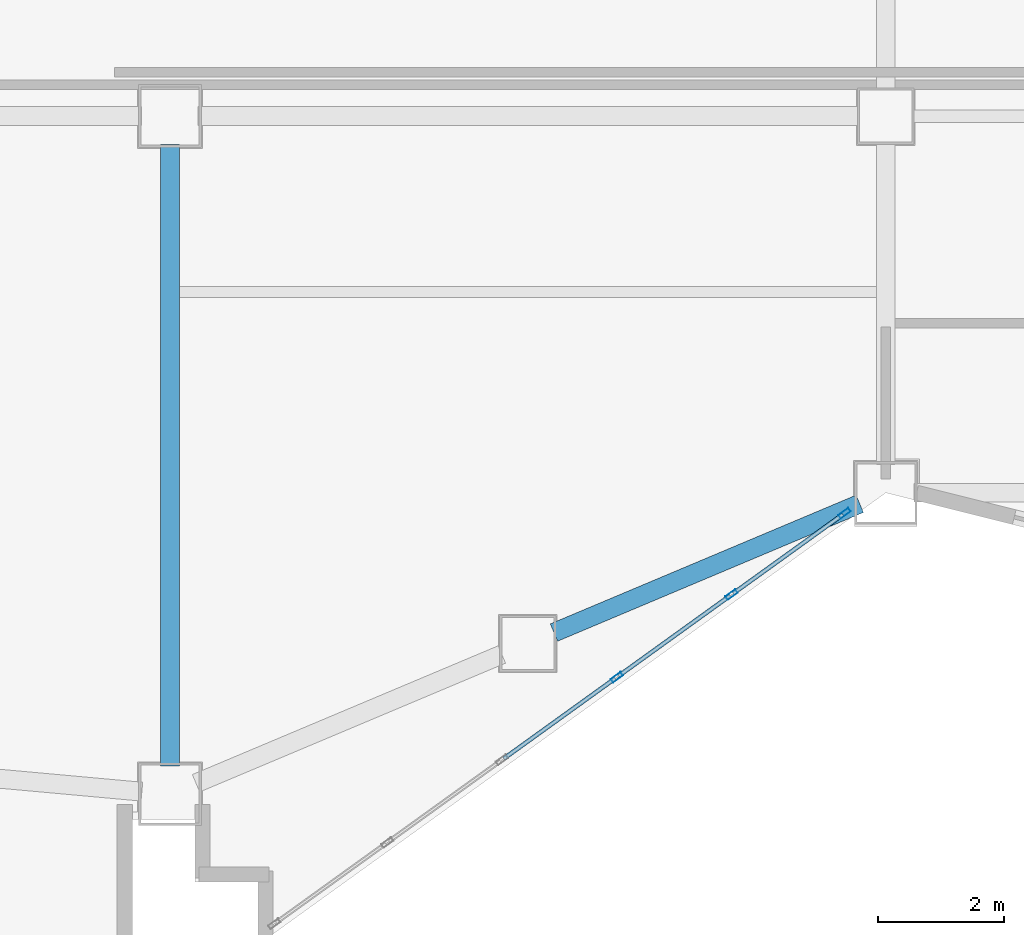
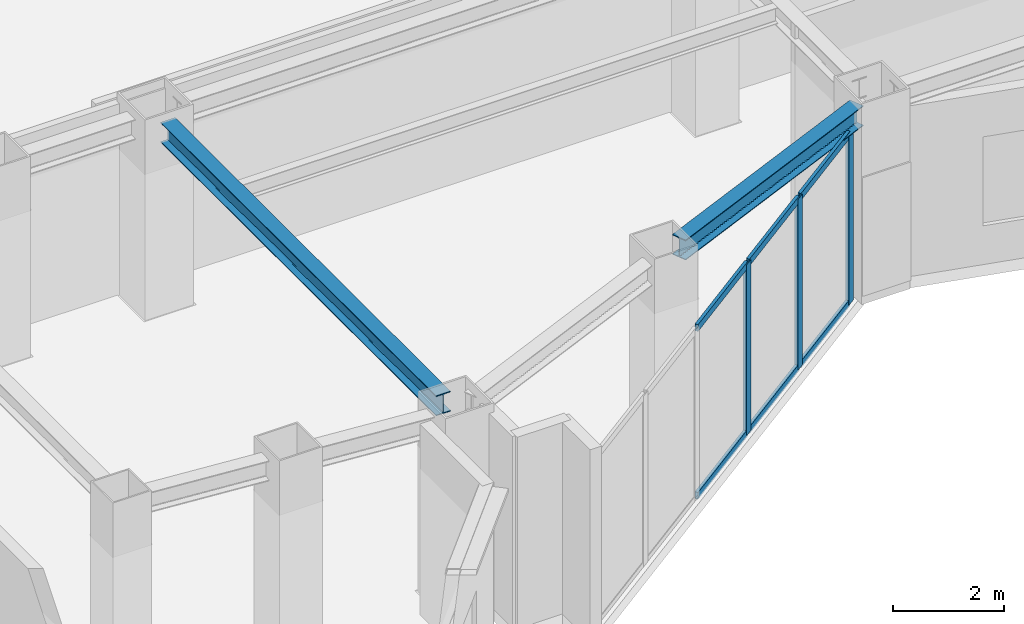
# One storey, part 3 of 19: 9 members, 2 beams, 1 element without a shape of its own.
"""IFC4 building model written with IfcOpenShell, lengths in metres."""

from ifc_helpers import new_model, si_unit, direction, frame, origin, origin_2d, place, context, subcontext, project, spatial, hollow_rectangle, i_section, extrude, material, layer, layer_set, material_profile, profile_set, type_object, element, aggregate, save


model = new_model("IFC4")

# Units and contexts
model_context = context("Model", 3, precision=1e-05, world=origin(), true_north=direction((0.0, 1.0)))
body_context = subcontext(model_context, "Body", "Model", "MODEL_VIEW")
ifc_project = project(units=[si_unit("LENGTHUNIT", "METRE"), si_unit("AREAUNIT", "SQUARE_METRE"), si_unit("VOLUMEUNIT", "CUBIC_METRE"), si_unit("PLANEANGLEUNIT", "RADIAN"), si_unit("MASSUNIT", "GRAM", prefix="KILO")], contexts=[model_context])

# Site, building, storey
site_placement = place(None, origin())
site = spatial("IfcSite", under=ifc_project, at=site_placement, CompositionType="ELEMENT")
building_placement = place(site_placement, origin())
building = spatial("IfcBuilding", under=site, at=building_placement, Name="Haolan Belvedere Tower", CompositionType="ELEMENT")
storey_placement = place(building_placement, frame((0.0, 0.0, 94.0)))
storey = spatial("IfcBuildingStorey", under=building, at=storey_placement, Name="L23", CompositionType="ELEMENT", Elevation=94.0)

# Beams
ifc_material_1 = material(Name="Steel Q355B", Category="steel")
ifc_material_profile_1 = material_profile(ifc_material_1, i_section(OverallWidth=0.300048828125, OverallDepth=0.43994140625, WebThickness=0.010986328125, FlangeThickness=0.01806640625, FilletRadius=0.02392578125, at=origin_2d()), Name="Steel Q355B")
ifc_profile_set_1 = profile_set([ifc_material_profile_1], Name="Steel Q355B")
beam_type = type_object("IfcBeamType", Name="BM-HM440x300x11x18", PredefinedType="SPANDREL", material=ifc_profile_set_1)
beam_1_placement = place(storey_placement, frame((12.60009765625, 17.25, 3.97998046875), z_axis=(0.0, 1.0, 0.0), x_axis=(-1.0, 0.0, 0.0)))
element("IfcBeam", 1, at=beam_1_placement, inside=storey, type_object=beam_type, Name="L23 spandrel girder MC-T2-SW-MC-T2-MW", PredefinedType="SPANDREL", context=body_context, shape_type="SweptSolid", body=[
    extrude(i_section(OverallWidth=0.300048828125, OverallDepth=0.43994140625, WebThickness=0.010986328125, FlangeThickness=0.01806640625, FilletRadius=0.02392578125, at=origin_2d()), origin(), (0.0, 0.0, 1.0), 9.89990234375),
])
beam_2_placement = place(storey_placement, frame((18.71484375, 19.37451171875, 3.97998046875), z_axis=(0.92162841793, 0.388073523014, 0.0), x_axis=(-0.388073523014, 0.92162841793, 0.0)))
element("IfcBeam", 2, at=beam_2_placement, inside=storey, type_object=beam_type, Name="L23 spandrel girder TC-T2-S1-MC-T3-SW", PredefinedType="SPANDREL", context=body_context, shape_type="SweptSolid", body=[
    extrude(i_section(OverallWidth=0.300048828125, OverallDepth=0.43994140625, WebThickness=0.010986328125, FlangeThickness=0.01806640625, FilletRadius=0.02392578125, at=origin_2d()), origin(), (0.0, 0.0, 1.0), 5.284423828125),
])

# Curtain wall, members
ifc_material_2 = material(Name="Anodised champagne-silver aluminium 6063-T6 and Low-E glass", Category="aluminium")
ifc_layer = layer(ifc_material_2, 0.195068359375, Name="Anodised champagne-silver aluminium 6063-T6 and Low-E glass")
ifc_layer_set = layer_set([ifc_layer], Name="Anodised champagne-silver aluminium 6063-T6 and Low-E glass")
curtain_wall_type = type_object("IfcCurtainWallType", Name="CW-SYS-06", PredefinedType="NOTDEFINED", material=ifc_layer_set)
curtain_wall_placement = place(storey_placement, origin())
curtain_wall = element("IfcCurtainWall", 3, at=curtain_wall_placement, inside=storey, type_object=curtain_wall_type, Name="L23 CW-SYS-06 ribbon curtain wall 5.1", PredefinedType="NOTDEFINED")
ifc_material_3 = material(Name="Anodised aluminium 6063-T6", Category="aluminium")
ifc_material_profile_2 = material_profile(ifc_material_3, hollow_rectangle(XDim=0.070068359375, YDim=0.195068359375, WallThickness=0.00390625, at=origin_2d()), Name="Anodised aluminium 6063-T6")
ifc_profile_set_2 = profile_set([ifc_material_profile_2], Name="Anodised aluminium 6063-T6")
member_type_1 = type_object("IfcMemberType", Name="CW-SYS-06-MUL", PredefinedType="MULLION", material=ifc_profile_set_2)
member_1_placement = place(storey_placement, frame((19.716552734375, 18.66357421875, 0.0), z_axis=(0.0, 0.0, 1.0), x_axis=(-0.584297005385, 0.811539900127, 0.0)))
member_1 = element("IfcMember", 4, at=member_1_placement, type_object=member_type_1, Name="CW-06 mullion 4", PredefinedType="MULLION", context=body_context, shape_type="SweptSolid", body=[
    extrude(hollow_rectangle(XDim=0.070068359375, YDim=0.195068359375, WallThickness=0.00390625, at=origin_2d()), origin(), (0.0, 0.0, 1.0), 3.7451171875),
])
member_2_placement = place(storey_placement, frame((21.544189453125, 19.9794921875, 0.0), z_axis=(0.0, 0.0, 1.0), x_axis=(-0.584297005385, 0.811539900127, 0.0)))
member_2 = element("IfcMember", 5, at=member_2_placement, type_object=member_type_1, Name="CW-06 mullion 5", PredefinedType="MULLION", context=body_context, shape_type="SweptSolid", body=[
    extrude(hollow_rectangle(XDim=0.070068359375, YDim=0.195068359375, WallThickness=0.00390625, at=origin_2d()), origin(), (0.0, 0.0, 1.0), 3.7451171875),
])
member_3_placement = place(storey_placement, frame((23.34326171875, 21.27490234375, 0.0), z_axis=(0.0, 0.0, 1.0), x_axis=(-0.584297005385, 0.811539900127, 0.0)))
member_3 = element("IfcMember", 6, at=member_3_placement, type_object=member_type_1, Name="CW-06 mullion 6", PredefinedType="MULLION", context=body_context, shape_type="SweptSolid", body=[
    extrude(hollow_rectangle(XDim=0.070068359375, YDim=0.195068359375, WallThickness=0.00390625, at=origin_2d()), origin(), (0.0, 0.0, 1.0), 3.7451171875),
])
ifc_material_profile_3 = material_profile(ifc_material_3, hollow_rectangle(XDim=0.06494140625, YDim=0.14990234375, WallThickness=0.00390625, at=origin_2d()), Name="Anodised aluminium 6063-T6")
ifc_profile_set_3 = profile_set([ifc_material_profile_3], Name="Anodised aluminium 6063-T6")
member_type_2 = type_object("IfcMemberType", Name="CW-SYS-06-TRN", PredefinedType="USERDEFINED", material=ifc_profile_set_3)
member_4_placement = place(storey_placement, frame((17.917236328125, 17.3681640625, 0.032470703125), z_axis=(0.811489774394, 0.584366619559, 0.0), x_axis=(-0.584366619559, 0.811489774394, 0.0)))
member_4 = element("IfcMember", 7, at=member_4_placement, type_object=member_type_2, Name="CW-06 transom 3.1", ObjectType="TRANSOM", PredefinedType="USERDEFINED", context=body_context, shape_type="SweptSolid", body=[
    extrude(hollow_rectangle(XDim=0.06494140625, YDim=0.14990234375, WallThickness=0.00390625, at=origin_2d()), origin(), (0.0, 0.0, 1.0), 2.18212890625),
])
member_5_placement = place(storey_placement, frame((17.917236328125, 17.3681640625, 3.71240234375), z_axis=(0.811489774394, 0.584366619559, 0.0), x_axis=(-0.584366619559, 0.811489774394, 0.0)))
member_5 = element("IfcMember", 8, at=member_5_placement, type_object=member_type_2, Name="CW-06 transom 3.2", ObjectType="TRANSOM", PredefinedType="USERDEFINED", context=body_context, shape_type="SweptSolid", body=[
    extrude(hollow_rectangle(XDim=0.06494140625, YDim=0.14990234375, WallThickness=0.00390625, at=origin_2d()), origin(), (0.0, 0.0, 1.0), 2.18212890625),
])
member_6_placement = place(storey_placement, frame((19.744873046875, 18.68408203125, 0.032470703125), z_axis=(0.811542830435, 0.58429293541, 0.0), x_axis=(-0.58429293541, 0.811542830435, 0.0)))
member_6 = element("IfcMember", 9, at=member_6_placement, type_object=member_type_2, Name="CW-06 transom 4.1", ObjectType="TRANSOM", PredefinedType="USERDEFINED", context=body_context, shape_type="SweptSolid", body=[
    extrude(hollow_rectangle(XDim=0.06494140625, YDim=0.14990234375, WallThickness=0.00390625, at=origin_2d()), origin(), (0.0, 0.0, 1.0), 2.181884765625),
])
member_7_placement = place(storey_placement, frame((19.744873046875, 18.68408203125, 3.71240234375), z_axis=(0.811542830435, 0.58429293541, 0.0), x_axis=(-0.58429293541, 0.811542830435, 0.0)))
member_7 = element("IfcMember", 10, at=member_7_placement, type_object=member_type_2, Name="CW-06 transom 4.2", ObjectType="TRANSOM", PredefinedType="USERDEFINED", context=body_context, shape_type="SweptSolid", body=[
    extrude(hollow_rectangle(XDim=0.06494140625, YDim=0.14990234375, WallThickness=0.00390625, at=origin_2d()), origin(), (0.0, 0.0, 1.0), 2.181884765625),
])
member_8_placement = place(storey_placement, frame((21.572509765625, 20.0, 0.032470703125), z_axis=(0.81156884932, 0.584256795265, 0.0), x_axis=(-0.584256795265, 0.81156884932, 0.0)))
member_8 = element("IfcMember", 11, at=member_8_placement, type_object=member_type_2, Name="CW-06 transom 5.1", ObjectType="TRANSOM", PredefinedType="USERDEFINED", context=body_context, shape_type="SweptSolid", body=[
    extrude(hollow_rectangle(XDim=0.06494140625, YDim=0.14990234375, WallThickness=0.00390625, at=origin_2d()), origin(), (0.0, 0.0, 1.0), 2.14697265625),
])
member_9_placement = place(storey_placement, frame((21.572509765625, 20.0, 3.71240234375), z_axis=(0.81156884932, 0.584256795265, 0.0), x_axis=(-0.584256795265, 0.81156884932, 0.0)))
member_9 = element("IfcMember", 12, at=member_9_placement, type_object=member_type_2, Name="CW-06 transom 5.2", ObjectType="TRANSOM", PredefinedType="USERDEFINED", context=body_context, shape_type="SweptSolid", body=[
    extrude(hollow_rectangle(XDim=0.06494140625, YDim=0.14990234375, WallThickness=0.00390625, at=origin_2d()), origin(), (0.0, 0.0, 1.0), 2.14697265625),
])
aggregate(curtain_wall, [member_1, member_2, member_3, member_4, member_5, member_6, member_7, member_8, member_9])

save(model, "model.ifc")
